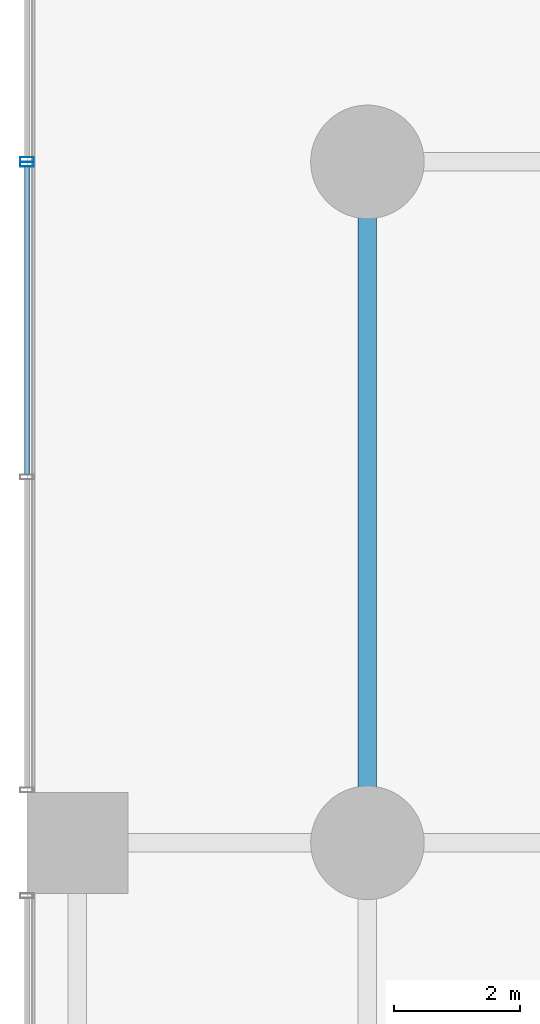
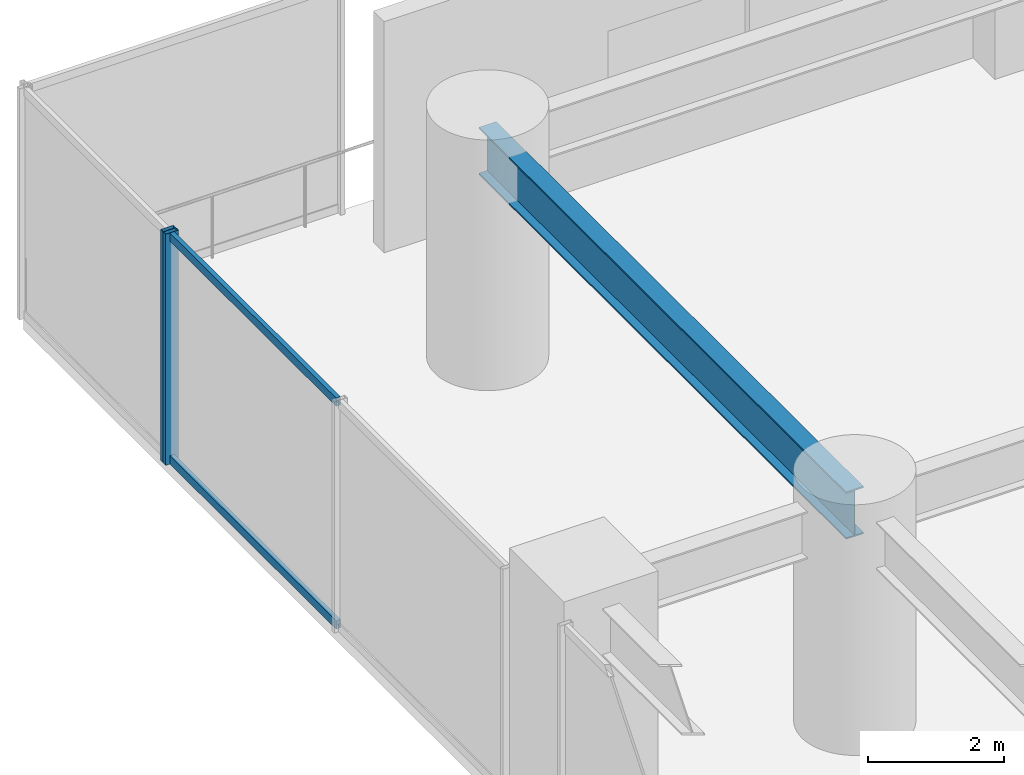
# One storey, part 12 of 35: 4 members, 1 beam, 2 elements without a shape of their own.
"""IFC4 building model written with IfcOpenShell, lengths in metres."""

from ifc_helpers import new_model, si_unit, direction, frame, origin, origin_2d, place, context, subcontext, project, spatial, hollow_rectangle, i_section, extrude, material, layer, layer_set, material_profile, profile_set, type_object, element, aggregate, save


model = new_model("IFC4")

# Units and contexts
model_context = context("Model", 3, precision=1e-05, world=origin(), true_north=direction((0.0, 1.0)))
body_context = subcontext(model_context, "Body", "Model", "MODEL_VIEW")
ifc_project = project(units=[si_unit("LENGTHUNIT", "METRE"), si_unit("AREAUNIT", "SQUARE_METRE"), si_unit("VOLUMEUNIT", "CUBIC_METRE"), si_unit("PLANEANGLEUNIT", "RADIAN"), si_unit("MASSUNIT", "GRAM", prefix="KILO")], contexts=[model_context])

# Site, building, storey
site_placement = place(None, origin())
site = spatial("IfcSite", under=ifc_project, at=site_placement, CompositionType="ELEMENT")
building_placement = place(site_placement, origin())
building = spatial("IfcBuilding", under=site, at=building_placement, Name="Surkhivell Harbour Commons", CompositionType="ELEMENT")
storey_placement = place(building_placement, frame((0.0, 0.0, 13.5)))
storey = spatial("IfcBuildingStorey", under=building, at=storey_placement, Name="L03", CompositionType="ELEMENT", Elevation=13.5)

# Beam
ifc_material_1 = material(Name="Steel S460", Category="steel")
ifc_material_profile_1 = material_profile(ifc_material_1, i_section(OverallWidth=0.2939453125, OverallDepth=0.85107421875, WebThickness=0.01611328125, FlangeThickness=0.02685546875, at=origin_2d()), Name="UB838x292x226")
ifc_profile_set_1 = profile_set([ifc_material_profile_1], Name="Steel S460")
beam_type = type_object("IfcBeamType", Name="BM-SPN-838", PredefinedType="SPANDREL", material=ifc_profile_set_1)
beam_placement = place(storey_placement, frame((-32.39990234375, 10.800048828125, 3.724609375), z_axis=(0.0, 1.0, 0.0), x_axis=(-1.0, 0.0, 0.0)))
element("IfcBeam", 1, at=beam_placement, inside=storey, type_object=beam_type, Name="L03 Framing Beam (-32.4,10.8)", PredefinedType="SPANDREL", context=body_context, shape_type="SweptSolid", body=[
    extrude(i_section(OverallWidth=0.2939453125, OverallDepth=0.85107421875, WebThickness=0.01611328125, FlangeThickness=0.02685546875, at=origin_2d()), origin(), (0.0, 0.0, 1.0), 10.800048828125),
])

# Curtain wall, member
ifc_material_2 = material(Name="Anodised pale-metal aluminium and insulated glazing", Category="aluminium")
ifc_layer = layer(ifc_material_2, 0.239990234375)
ifc_layer_set = layer_set([ifc_layer], Name="Anodised pale-metal aluminium and insulated glazing")
curtain_wall_type = type_object("IfcCurtainWallType", Name="CW-SYS-POD", PredefinedType="NOTDEFINED", material=ifc_layer_set)
curtain_wall_1_placement = place(storey_placement, origin())
curtain_wall_1 = element("IfcCurtainWall", 2, at=curtain_wall_1_placement, inside=storey, type_object=curtain_wall_type, Name="L03 Curtain Wall CW-L03-W5", PredefinedType="NOTDEFINED")
ifc_material_3 = material(Name="Anodised pale-metal aluminium alloy 6063-T6", Category="aluminium")
ifc_material_profile_2 = material_profile(ifc_material_3, hollow_rectangle(XDim=0.074951171875, YDim=0.219970703125, WallThickness=0.00390625, at=origin_2d()), Name="ALU-MULL-75x220")
ifc_profile_set_2 = profile_set([ifc_material_profile_2], Name="Anodised pale-metal aluminium alloy 6063-T6")
member_type_1 = type_object("IfcMemberType", Name="CWM-220", PredefinedType="MULLION", material=ifc_profile_set_2)
member_1_placement = place(storey_placement, frame((-37.800048828125, 21.5625, 0.0), z_axis=(0.0, 0.0, 1.0), x_axis=(0.0, 1.0, 0.0)))
member_1 = element("IfcMember", 3, at=member_1_placement, type_object=member_type_1, Name="CW-POD mullion 3", PredefinedType="MULLION", context=body_context, shape_type="SweptSolid", body=[
    extrude(hollow_rectangle(XDim=0.074951171875, YDim=0.219970703125, WallThickness=0.00390625, at=origin_2d()), origin(), (0.0, 0.0, 1.0), 4.14990234375),
])

curtain_wall_2_placement = place(storey_placement, origin())
curtain_wall_2 = element("IfcCurtainWall", 4, at=curtain_wall_2_placement, inside=storey, type_object=curtain_wall_type, Name="L03 Curtain Wall CW-L03-W6", PredefinedType="NOTDEFINED")
member_2_placement = place(storey_placement, frame((-37.800048828125, 21.637451171875, 0.0), z_axis=(0.0, 0.0, 1.0), x_axis=(0.0, 1.0, 0.0)))
member_2 = element("IfcMember", 5, at=member_2_placement, type_object=member_type_1, Name="CW-POD mullion 1", PredefinedType="MULLION", context=body_context, shape_type="SweptSolid", body=[
    extrude(hollow_rectangle(XDim=0.074951171875, YDim=0.219970703125, WallThickness=0.00390625, at=origin_2d()), origin(), (0.0, 0.0, 1.0), 4.14990234375),
])
aggregate(curtain_wall_2, [member_2])

# Member
ifc_material_profile_3 = material_profile(ifc_material_3, hollow_rectangle(XDim=0.074951171875, YDim=0.14990234375, WallThickness=0.00341796875, at=origin_2d()), Name="ALU-TRAN-75x150")
ifc_profile_set_3 = profile_set([ifc_material_profile_3], Name="Anodised pale-metal aluminium alloy 6063-T6")
member_type_2 = type_object("IfcMemberType", Name="CWT-150", PredefinedType="USERDEFINED", material=ifc_profile_set_3)
member_3_placement = place(storey_placement, frame((-37.800048828125, 16.638427734375, 0.074951171875), z_axis=(0.0, 1.0, 0.0), x_axis=(-1.0, 0.0, 0.0)))
member_3 = element("IfcMember", 6, at=member_3_placement, type_object=member_type_2, Name="CW-POD transom 2.1", ObjectType="TRANSOM", PredefinedType="USERDEFINED", context=body_context, shape_type="SweptSolid", body=[
    extrude(hollow_rectangle(XDim=0.074951171875, YDim=0.14990234375, WallThickness=0.00341796875, at=origin_2d()), origin(), (0.0, 0.0, 1.0), 4.886474609375),
])

member_4_placement = place(storey_placement, frame((-37.800048828125, 16.638427734375, 4.074951171875), z_axis=(0.0, 1.0, 0.0), x_axis=(-1.0, 0.0, 0.0)))
member_4 = element("IfcMember", 7, at=member_4_placement, type_object=member_type_2, Name="CW-POD transom 2.2", ObjectType="TRANSOM", PredefinedType="USERDEFINED", context=body_context, shape_type="SweptSolid", body=[
    extrude(hollow_rectangle(XDim=0.074951171875, YDim=0.14990234375, WallThickness=0.00341796875, at=origin_2d()), origin(), (0.0, 0.0, 1.0), 4.886474609375),
])

aggregate(curtain_wall_1, [member_1, member_3, member_4])

save(model, "model.ifc")
